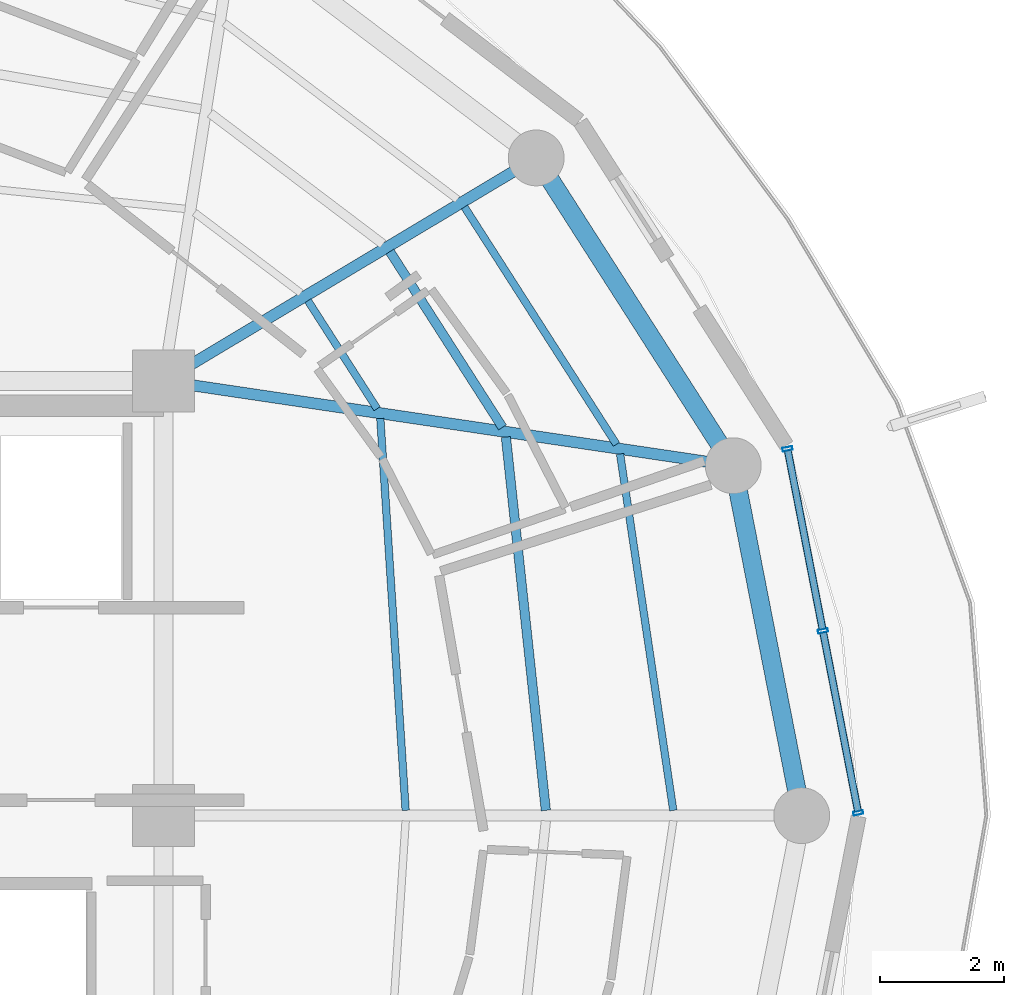
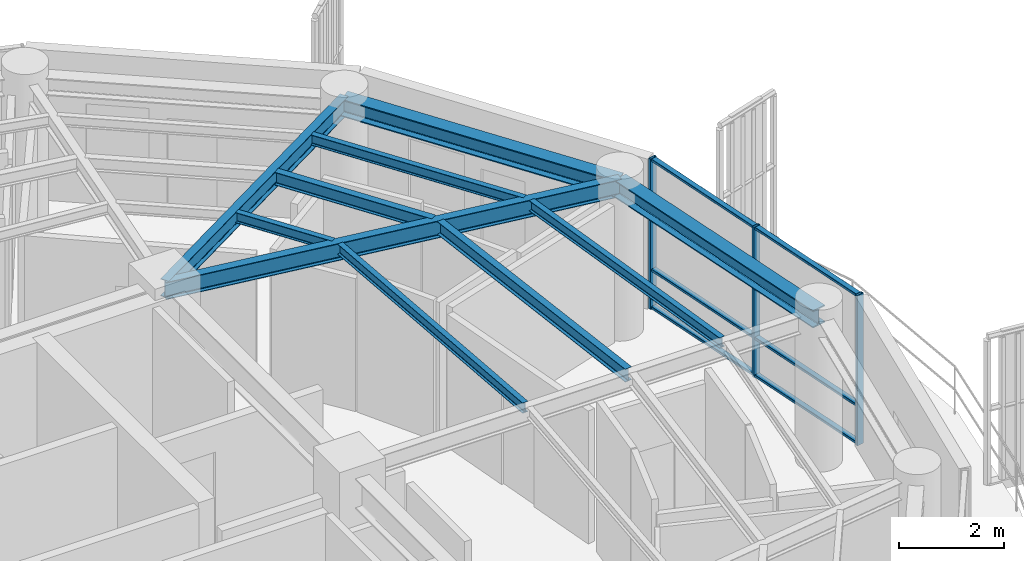
# One storey, part 10 of 22: 10 beams, 9 members, 1 element without a shape of its own.
"""IFC4 building model written with IfcOpenShell, lengths in metres."""

from ifc_helpers import new_model, si_unit, direction, frame, origin, origin_2d, place, context, subcontext, project, spatial, hollow_rectangle, i_section, extrude, material, layer, layer_set, material_profile, profile_set, type_object, element, aggregate, save


model = new_model("IFC4")

# Units and contexts
model_context = context("Model", 3, precision=1e-05, world=origin(), true_north=direction((0.0, 1.0)))
body_context = subcontext(model_context, "Body", "Model", "MODEL_VIEW")
ifc_project = project(units=[si_unit("LENGTHUNIT", "METRE"), si_unit("AREAUNIT", "SQUARE_METRE"), si_unit("VOLUMEUNIT", "CUBIC_METRE"), si_unit("PLANEANGLEUNIT", "RADIAN"), si_unit("MASSUNIT", "GRAM", prefix="KILO")], contexts=[model_context])

# Site, building, storey
site_placement = place(None, origin())
site = spatial("IfcSite", under=ifc_project, at=site_placement, CompositionType="ELEMENT")
building_placement = place(site_placement, origin())
building = spatial("IfcBuilding", under=site, at=building_placement, Name="Kelanora Arch Commons", CompositionType="ELEMENT")
storey_placement = place(building_placement, frame((0.0, 0.0, 259.949951171875)))
storey = spatial("IfcBuildingStorey", under=building, at=storey_placement, Name="L66", CompositionType="ELEMENT", Elevation=259.949951171875)

# Beams
ifc_material_1 = material(Name="Steel S355", Category="steel")
ifc_material_profile_1 = material_profile(ifc_material_1, i_section(OverallWidth=0.14990234375, OverallDepth=0.300048828125, WebThickness=0.007080078125, FlangeThickness=0.0107421875, FilletRadius=0.014892578125, at=origin_2d()), Name="IPE300")
ifc_profile_set_1 = profile_set([ifc_material_profile_1], Name="Steel S355")
beam_type_1 = type_object("IfcBeamType", Name="BM-JST-01", PredefinedType="JOIST", material=ifc_profile_set_1)
beam_1_placement = place(storey_placement, frame((88.158935546875, 58.08447265625, 3.340087890625), z_axis=(-0.106380594087, 0.994325484538, 0.0), x_axis=(-0.994325484538, -0.106380594087, 0.0)))
element("IfcBeam", 1, at=beam_1_placement, inside=storey, type_object=beam_type_1, Name="Secondary Chord Joist BJB-00 L66", PredefinedType="JOIST", context=body_context, shape_type="SweptSolid", body=[
    extrude(i_section(OverallWidth=0.14990234375, OverallDepth=0.300048828125, WebThickness=0.007080078125, FlangeThickness=0.0107421875, FilletRadius=0.014892578125, at=origin_2d()), origin(), (0.0, 0.0, 1.0), 6.04736328125),
])
beam_2_placement = place(storey_placement, frame((87.460693359375, 64.25341796875, 3.340087890625), z_axis=(-0.539321586177, 0.842099891155, 0.0), x_axis=(-0.842099891155, -0.539321586177, 0.0)))
element("IfcBeam", 2, at=beam_2_placement, inside=storey, type_object=beam_type_1, Name="Secondary Chord Joist BJB-02 L66", PredefinedType="JOIST", context=body_context, shape_type="SweptSolid", body=[
    extrude(i_section(OverallWidth=0.14990234375, OverallDepth=0.300048828125, WebThickness=0.007080078125, FlangeThickness=0.0107421875, FilletRadius=0.014892578125, at=origin_2d()), origin(), (0.0, 0.0, 1.0), 3.361572265625),
])
ifc_material_profile_2 = material_profile(ifc_material_1, i_section(OverallWidth=0.1201171875, OverallDepth=0.239990234375, WebThickness=0.006103515625, FlangeThickness=0.009765625, FilletRadius=0.014892578125, at=origin_2d()), Name="IPE240")
ifc_profile_set_2 = profile_set([ifc_material_profile_2], Name="Steel S355")
beam_type_2 = type_object("IfcBeamType", Name="BM-JST-02", PredefinedType="JOIST", material=ifc_profile_set_2)
beam_3_placement = place(storey_placement, frame((85.90087890625, 58.084716796875, 3.3701171875), z_axis=(-0.064495107978, 0.99791802321, 0.0), x_axis=(-0.99791802321, -0.064495107978, 0.0)))
element("IfcBeam", 3, at=beam_3_placement, inside=storey, type_object=beam_type_2, Name="Secondary Chord Joist BJA-00 L66", PredefinedType="JOIST", context=body_context, shape_type="SweptSolid", body=[
    extrude(i_section(OverallWidth=0.1201171875, OverallDepth=0.239990234375, WebThickness=0.006103515625, FlangeThickness=0.009765625, FilletRadius=0.014892578125, at=origin_2d()), origin(), (0.0, 0.0, 1.0), 6.325439453125),
])
beam_4_placement = place(storey_placement, frame((90.21142578125, 58.083984375, 3.3701171875), z_axis=(-0.14762470282, 0.989043450571, 0.0), x_axis=(-0.989043450571, -0.14762470282, 0.0)))
element("IfcBeam", 4, at=beam_4_placement, inside=storey, type_object=beam_type_2, Name="Secondary Chord Joist BJC-00 L66", PredefinedType="JOIST", context=body_context, shape_type="SweptSolid", body=[
    extrude(i_section(OverallWidth=0.1201171875, OverallDepth=0.239990234375, WebThickness=0.006103515625, FlangeThickness=0.009765625, FilletRadius=0.014892578125, at=origin_2d()), origin(), (0.0, 0.0, 1.0), 5.804931640625),
])
beam_5_placement = place(storey_placement, frame((85.441650390625, 64.553466796875, 3.3701171875), z_axis=(-0.539311810315, 0.842106152011, 0.0), x_axis=(-0.842106152011, -0.539311810315, 0.0)))
element("IfcBeam", 5, at=beam_5_placement, inside=storey, type_object=beam_type_2, Name="Secondary Chord Joist BJA-02 L66", PredefinedType="JOIST", context=body_context, shape_type="SweptSolid", body=[
    extrude(i_section(OverallWidth=0.1201171875, OverallDepth=0.239990234375, WebThickness=0.006103515625, FlangeThickness=0.009765625, FilletRadius=0.014892578125, at=origin_2d()), origin(), (0.0, 0.0, 1.0), 2.06640625),
])
beam_6_placement = place(storey_placement, frame((89.296142578125, 63.980712890625, 3.3701171875), z_axis=(-0.539288735289, 0.842120929552, 0.0), x_axis=(-0.842120929552, -0.539288735289, 0.0)))
element("IfcBeam", 6, at=beam_6_placement, inside=storey, type_object=beam_type_2, Name="Secondary Chord Joist BJC-02 L66", PredefinedType="JOIST", context=body_context, shape_type="SweptSolid", body=[
    extrude(i_section(OverallWidth=0.1201171875, OverallDepth=0.239990234375, WebThickness=0.006103515625, FlangeThickness=0.009765625, FilletRadius=0.014892578125, at=origin_2d()), origin(), (0.0, 0.0, 1.0), 4.538818359375),
])
ifc_material_profile_3 = material_profile(ifc_material_1, i_section(OverallWidth=0.179931640625, OverallDepth=0.39990234375, WebThickness=0.008544921875, FlangeThickness=0.013427734375, FilletRadius=0.02099609375, at=origin_2d()), Name="IPE400")
ifc_profile_set_3 = profile_set([ifc_material_profile_3], Name="Steel S355")
beam_type_3 = type_object("IfcBeamType", Name="BM-RAD-Z5", PredefinedType="BEAM", material=ifc_profile_set_3)
beam_7_placement = place(storey_placement, frame((82.0, 65.0, 3.2900390625), z_axis=(0.989142485564, -0.146959665395, 0.0), x_axis=(0.146959665395, 0.989142485564, 0.0)))
element("IfcBeam", 7, at=beam_7_placement, inside=storey, type_object=beam_type_3, Name="Radial Floor Girder BR-02 L66", PredefinedType="BEAM", context=body_context, shape_type="SweptSolid", body=[
    extrude(i_section(OverallWidth=0.179931640625, OverallDepth=0.39990234375, WebThickness=0.008544921875, FlangeThickness=0.013427734375, FilletRadius=0.02099609375, at=origin_2d()), origin(), (0.0, 0.0, 1.0), 9.2783203125),
])
beam_8_placement = place(storey_placement, frame((82.0, 65.0, 3.2900390625), z_axis=(0.858062005744, 0.513546097541, 0.0), x_axis=(-0.513546097541, 0.858062005744, 0.0)))
element("IfcBeam", 8, at=beam_8_placement, inside=storey, type_object=beam_type_3, Name="Radial Floor Girder BR-04 L66", PredefinedType="BEAM", context=body_context, shape_type="SweptSolid", body=[
    extrude(i_section(OverallWidth=0.179931640625, OverallDepth=0.39990234375, WebThickness=0.008544921875, FlangeThickness=0.013427734375, FilletRadius=0.02099609375, at=origin_2d()), origin(), (0.0, 0.0, 1.0), 6.99658203125),
])
ifc_material_profile_4 = material_profile(ifc_material_1, i_section(OverallWidth=0.300048828125, OverallDepth=0.39990234375, WebThickness=0.013427734375, FlangeThickness=0.02392578125, FilletRadius=0.027099609375, at=origin_2d()), Name="HEB400")
ifc_profile_set_4 = profile_set([ifc_material_profile_4], Name="Steel S355")
beam_type_4 = type_object("IfcBeamType", Name="BM-SPN-Z4", PredefinedType="SPANDREL", material=ifc_profile_set_4)
beam_9_placement = place(storey_placement, frame((92.280029296875, 58.0, 3.2900390625), z_axis=(-0.191969774604, 0.981400838413, 0.0), x_axis=(-0.981400838413, -0.191969774604, 0.0)))
element("IfcBeam", 9, at=beam_9_placement, inside=storey, type_object=beam_type_4, Name="Perimeter Spandrel Beam BS-00 L66", PredefinedType="SPANDREL", context=body_context, shape_type="SweptSolid", body=[
    extrude(i_section(OverallWidth=0.300048828125, OverallDepth=0.39990234375, WebThickness=0.013427734375, FlangeThickness=0.02392578125, FilletRadius=0.027099609375, at=origin_2d()), origin(), (0.0, 0.0, 1.0), 5.743408203125),
])
beam_10_placement = place(storey_placement, frame((91.177490234375, 63.636474609375, 3.2900390625), z_axis=(-0.539280851353, 0.842125978322, 0.0), x_axis=(-0.842125978322, -0.539280851353, 0.0)))
element("IfcBeam", 10, at=beam_10_placement, inside=storey, type_object=beam_type_4, Name="Perimeter Spandrel Beam BS-02 L66", PredefinedType="SPANDREL", context=body_context, shape_type="SweptSolid", body=[
    extrude(i_section(OverallWidth=0.300048828125, OverallDepth=0.39990234375, WebThickness=0.013427734375, FlangeThickness=0.02392578125, FilletRadius=0.027099609375, at=origin_2d()), origin(), (0.0, 0.0, 1.0), 5.8857421875),
])

# Curtain wall, members
ifc_material_2 = material(Name="Terracotta ceramic-fritted low-E glass and aluminium", Category="masonry")
ifc_layer = layer(ifc_material_2, 0.18994140625)
ifc_layer_set = layer_set([ifc_layer], Name="Terracotta ceramic-fritted low-E glass and aluminium")
curtain_wall_type = type_object("IfcCurtainWallType", Name="CW-SYS-03", PredefinedType="NOTDEFINED", material=ifc_layer_set)
curtain_wall_placement = place(storey_placement, origin())
curtain_wall = element("IfcCurtainWall", 11, at=curtain_wall_placement, inside=storey, type_object=curtain_wall_type, Name="Unitised Curtain Wall L66-B00", PredefinedType="NOTDEFINED")
ifc_material_3 = material(Name="Powder-coated aluminium terracotta", Category="masonry")
ifc_material_profile_5 = material_profile(ifc_material_3, hollow_rectangle(XDim=0.159912109375, YDim=0.06005859375, WallThickness=0.0048828125, InnerFilletRadius=0.0048828125, OuterFilletRadius=0.010009765625, at=origin_2d()), Name="CWM160x60")
ifc_profile_set_5 = profile_set([ifc_material_profile_5], Name="Powder-coated aluminium terracotta")
member_type_1 = type_object("IfcMemberType", Name="CWM-STD", PredefinedType="MULLION", material=ifc_profile_set_5)
member_1_placement = place(storey_placement, frame((93.19140625, 58.044189453125, 0.0), z_axis=(0.0, 0.0, 1.0), x_axis=(-0.981595542501, -0.190971701941, 0.0)))
member_1 = element("IfcMember", 12, at=member_1_placement, type_object=member_type_1, Name="CW-03 mullion 1", PredefinedType="MULLION", context=body_context, shape_type="SweptSolid", body=[
    extrude(hollow_rectangle(XDim=0.159912109375, YDim=0.06005859375, WallThickness=0.0048828125, InnerFilletRadius=0.0048828125, OuterFilletRadius=0.010009765625, at=origin_2d()), origin(), (0.0, 0.0, 1.0), 3.47509765625),
])
member_2_placement = place(storey_placement, frame((92.62109375, 60.9755859375, 0.0), z_axis=(0.0, 0.0, 1.0), x_axis=(-0.981595542501, -0.190971701941, 0.0)))
member_2 = element("IfcMember", 13, at=member_2_placement, type_object=member_type_1, Name="CW-03 mullion 2", PredefinedType="MULLION", context=body_context, shape_type="SweptSolid", body=[
    extrude(hollow_rectangle(XDim=0.159912109375, YDim=0.06005859375, WallThickness=0.0048828125, InnerFilletRadius=0.0048828125, OuterFilletRadius=0.010009765625, at=origin_2d()), origin(), (0.0, 0.0, 1.0), 3.47509765625),
])
member_3_placement = place(storey_placement, frame((92.05078125, 63.906982421875, 0.0), z_axis=(0.0, 0.0, 1.0), x_axis=(-0.981595542501, -0.190971701941, 0.0)))
member_3 = element("IfcMember", 14, at=member_3_placement, type_object=member_type_1, Name="CW-03 mullion 3", PredefinedType="MULLION", context=body_context, shape_type="SweptSolid", body=[
    extrude(hollow_rectangle(XDim=0.159912109375, YDim=0.06005859375, WallThickness=0.0048828125, InnerFilletRadius=0.0048828125, OuterFilletRadius=0.010009765625, at=origin_2d()), origin(), (0.0, 0.0, 1.0), 3.47509765625),
])
ifc_material_profile_6 = material_profile(ifc_material_3, hollow_rectangle(XDim=0.1201171875, YDim=0.06005859375, WallThickness=0.0048828125, InnerFilletRadius=0.0048828125, OuterFilletRadius=0.010009765625, at=origin_2d()), Name="CWT120x60")
ifc_profile_set_6 = profile_set([ifc_material_profile_6], Name="Powder-coated aluminium terracotta")
member_type_2 = type_object("IfcMemberType", Name="CWT-STD", PredefinedType="USERDEFINED", material=ifc_profile_set_6)
member_4_placement = place(storey_placement, frame((93.185546875, 58.073486328125, 0.030029296875), z_axis=(-0.190963443354, 0.981597149192, 0.0), x_axis=(-0.981597149192, -0.190963443354, 0.0)))
member_4 = element("IfcMember", 15, at=member_4_placement, type_object=member_type_2, Name="CW-03 transom 1.1", ObjectType="TRANSOM", PredefinedType="USERDEFINED", context=body_context, shape_type="SweptSolid", body=[
    extrude(hollow_rectangle(XDim=0.1201171875, YDim=0.06005859375, WallThickness=0.0048828125, InnerFilletRadius=0.0048828125, OuterFilletRadius=0.010009765625, at=origin_2d()), origin(), (0.0, 0.0, 1.0), 2.926513671875),
])
member_5_placement = place(storey_placement, frame((93.185546875, 58.073486328125, 0.900146484375), z_axis=(-0.190963443354, 0.981597149192, 0.0), x_axis=(-0.981597149192, -0.190963443354, 0.0)))
member_5 = element("IfcMember", 16, at=member_5_placement, type_object=member_type_2, Name="CW-03 transom 1.2", ObjectType="TRANSOM", PredefinedType="USERDEFINED", context=body_context, shape_type="SweptSolid", body=[
    extrude(hollow_rectangle(XDim=0.1201171875, YDim=0.06005859375, WallThickness=0.0048828125, InnerFilletRadius=0.0048828125, OuterFilletRadius=0.010009765625, at=origin_2d()), origin(), (0.0, 0.0, 1.0), 2.926513671875),
])
member_6_placement = place(storey_placement, frame((93.185546875, 58.073486328125, 3.445068359375), z_axis=(-0.190963443354, 0.981597149192, 0.0), x_axis=(-0.981597149192, -0.190963443354, 0.0)))
member_6 = element("IfcMember", 17, at=member_6_placement, type_object=member_type_2, Name="CW-03 transom 1.3", ObjectType="TRANSOM", PredefinedType="USERDEFINED", context=body_context, shape_type="SweptSolid", body=[
    extrude(hollow_rectangle(XDim=0.1201171875, YDim=0.06005859375, WallThickness=0.0048828125, InnerFilletRadius=0.0048828125, OuterFilletRadius=0.010009765625, at=origin_2d()), origin(), (0.0, 0.0, 1.0), 2.926513671875),
])
member_7_placement = place(storey_placement, frame((92.615234375, 61.005126953125, 0.030029296875), z_axis=(-0.190963443354, 0.981597149192, 0.0), x_axis=(-0.981597149192, -0.190963443354, 0.0)))
member_7 = element("IfcMember", 18, at=member_7_placement, type_object=member_type_2, Name="CW-03 transom 2.1", ObjectType="TRANSOM", PredefinedType="USERDEFINED", context=body_context, shape_type="SweptSolid", body=[
    extrude(hollow_rectangle(XDim=0.1201171875, YDim=0.06005859375, WallThickness=0.0048828125, InnerFilletRadius=0.0048828125, OuterFilletRadius=0.010009765625, at=origin_2d()), origin(), (0.0, 0.0, 1.0), 2.926513671875),
])
member_8_placement = place(storey_placement, frame((92.615234375, 61.005126953125, 0.900146484375), z_axis=(-0.190963443354, 0.981597149192, 0.0), x_axis=(-0.981597149192, -0.190963443354, 0.0)))
member_8 = element("IfcMember", 19, at=member_8_placement, type_object=member_type_2, Name="CW-03 transom 2.2", ObjectType="TRANSOM", PredefinedType="USERDEFINED", context=body_context, shape_type="SweptSolid", body=[
    extrude(hollow_rectangle(XDim=0.1201171875, YDim=0.06005859375, WallThickness=0.0048828125, InnerFilletRadius=0.0048828125, OuterFilletRadius=0.010009765625, at=origin_2d()), origin(), (0.0, 0.0, 1.0), 2.926513671875),
])
member_9_placement = place(storey_placement, frame((92.615234375, 61.005126953125, 3.445068359375), z_axis=(-0.190963443354, 0.981597149192, 0.0), x_axis=(-0.981597149192, -0.190963443354, 0.0)))
member_9 = element("IfcMember", 20, at=member_9_placement, type_object=member_type_2, Name="CW-03 transom 2.3", ObjectType="TRANSOM", PredefinedType="USERDEFINED", context=body_context, shape_type="SweptSolid", body=[
    extrude(hollow_rectangle(XDim=0.1201171875, YDim=0.06005859375, WallThickness=0.0048828125, InnerFilletRadius=0.0048828125, OuterFilletRadius=0.010009765625, at=origin_2d()), origin(), (0.0, 0.0, 1.0), 2.926513671875),
])
aggregate(curtain_wall, [member_1, member_2, member_3, member_4, member_5, member_6, member_7, member_8, member_9])

save(model, "model.ifc")
